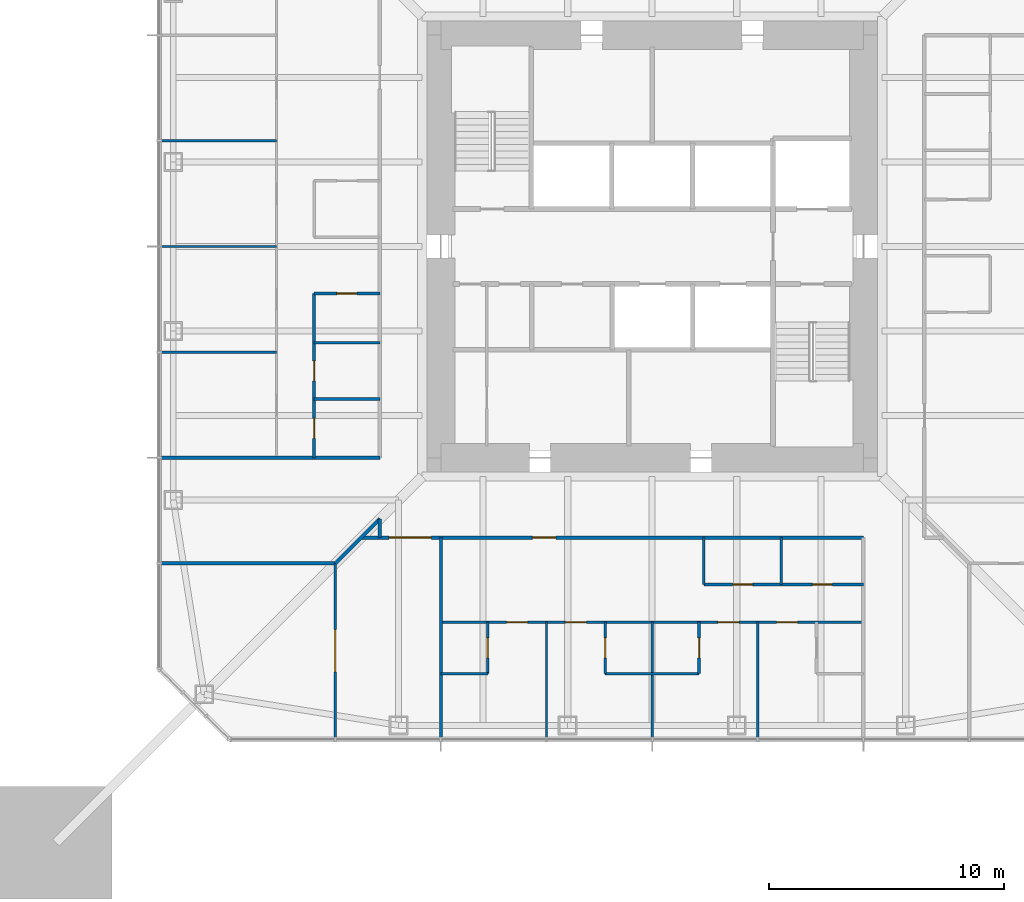
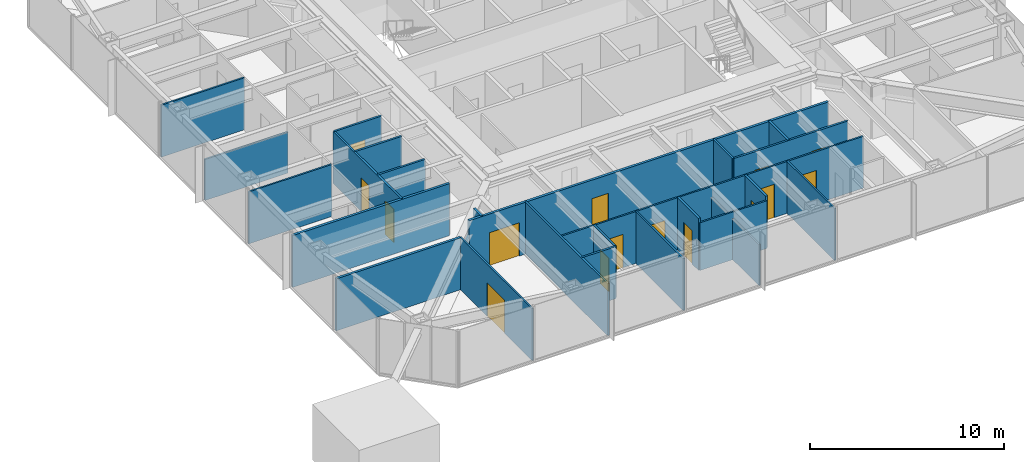
# One storey, part 13 of 25: 26 walls, 15 doors, 15 openings.
"""IFC4 building model written with IfcOpenShell, lengths in metres."""

import ifcopenshell
import ifcopenshell.guid

model = None  # the IFC model being written
_history = None  # IfcOwnerHistory: only IFC2X3 demands one
_inside = {}  # id of a spatial element -> (the spatial element, [elements in it])
_under = {}  # id of a project, library or spatial element -> (it, [spatial elements below it])
_declared = {}  # id of a project -> (the project, [libraries it declares])
_typed = {}  # id of a type object -> (the type object, [elements of that type])
_made_of = {}  # id of a material, layer set ... -> (it, [elements and type objects made of it])


def new_model(schema):
    """Start an empty IFC model of exactly this schema.

    Asked for "IFC4X3", IfcOpenShell would pick the latest addendum, in which some entities
    have other attributes; the version numbers below select the first issue.
    IFC2X3 requires an IfcOwnerHistory on every rooted entity: one is made here for all.
    """
    global model, _history
    if schema == "IFC4X3":
        model = ifcopenshell.file(schema_version=(4, 3, 0, 0))
    else:
        model = ifcopenshell.file(schema=schema)
    _inside.clear()
    _under.clear()
    _declared.clear()
    _typed.clear()
    _made_of.clear()
    _history = None
    if model.schema == "IFC2X3":
        org = make("IfcOrganization", Name="unknown")
        user = make(
            "IfcPersonAndOrganization",
            ThePerson=make("IfcPerson", FamilyName="unknown"),
            TheOrganization=org,
        )
        app = make(
            "IfcApplication",
            ApplicationDeveloper=org,
            Version="unknown",
            ApplicationFullName="unknown",
            ApplicationIdentifier="unknown",
        )
        _history = make(
            "IfcOwnerHistory",
            OwningUser=user,
            OwningApplication=app,
            ChangeAction="ADDED",
            CreationDate=0,
        )
    return model


def make(cls, **values):
    """One entity of the class cls with the attributes given. An attribute that is None is left unset."""
    return model.create_entity(
        cls, **{name: value for name, value in values.items() if value is not None}
    )


def rooted(cls, **values):
    """An entity with a GlobalId (a new one), such as an element, a storey or a relation."""
    return make(cls, GlobalId=ifcopenshell.guid.new(), OwnerHistory=_history, **values)


def si_unit(unit_type, name, prefix=None):
    """IfcSIUnit, for example si_unit("LENGTHUNIT", "METRE", prefix="MILLI")."""
    return make("IfcSIUnit", UnitType=unit_type, Prefix=prefix, Name=name)


def assignment(units):
    """IfcUnitAssignment: the units of a project."""
    return None if units is None else make("IfcUnitAssignment", Units=units)


def point(xyz):
    """IfcCartesianPoint."""
    return None if xyz is None else make("IfcCartesianPoint", Coordinates=xyz)


def direction(xyz):
    """IfcDirection."""
    return None if xyz is None else make("IfcDirection", DirectionRatios=xyz)


def frame(location, z_axis=None, x_axis=None):
    """IfcAxis2Placement3D, a coordinate frame: its origin and axes. An axis left out is left unset."""
    return make(
        "IfcAxis2Placement3D",
        Location=point(location),
        Axis=direction(z_axis),
        RefDirection=direction(x_axis),
    )


def frame_2d(location, x_axis=None):
    """IfcAxis2Placement2D, a coordinate frame in the plane: its origin and x axis."""
    return make(
        "IfcAxis2Placement2D", Location=point(location), RefDirection=direction(x_axis)
    )


def origin():
    """The frame at (0, 0, 0) with its axes left unset."""
    return frame((0.0, 0.0, 0.0))


def place(relative_to, where):
    """IfcLocalPlacement: puts the frame where relative to a parent placement (None: the world)."""
    return make(
        "IfcLocalPlacement", PlacementRelTo=relative_to, RelativePlacement=where
    )


def context(
    kind, dimensions, precision=None, world=None, true_north=None, identifier=None
):
    """IfcGeometricRepresentationContext, for example the 3D "Model" context."""
    return make(
        "IfcGeometricRepresentationContext",
        ContextIdentifier=identifier,
        ContextType=kind,
        CoordinateSpaceDimension=dimensions,
        Precision=precision,
        WorldCoordinateSystem=world,
        TrueNorth=true_north,
    )


def subcontext(parent, identifier, kind, view, scale=None):
    """IfcGeometricRepresentationSubContext, for example "Body" below "Model"."""
    return make(
        "IfcGeometricRepresentationSubContext",
        ContextIdentifier=identifier,
        ContextType=kind,
        ParentContext=parent,
        TargetScale=scale,
        TargetView=view,
    )


def project(units=None, contexts=None):
    """IfcProject with its units and contexts."""
    return rooted(
        "IfcProject",
        Name="project",
        RepresentationContexts=contexts,
        UnitsInContext=assignment(units),
    )


def spatial(cls, under=None, at=None, **own):
    """A site, building, storey or space (cls), placed at a placement, below another one or the project."""
    s = rooted(cls, ObjectPlacement=at, **own)
    if under is not None:
        _under.setdefault(under.id(), (under, []))[1].append(s)
    return s


def profile(cls, at=None, kind="AREA", **sizes):
    """A parametric profile (cls). Its sizes go by their IFC names, for example OverallWidth=200.0."""
    return make(cls, ProfileType=kind, Position=at, **sizes)


def rectangle(**sizes):
    """IfcRectangleProfileDef."""
    return profile("IfcRectangleProfileDef", **sizes)


def extrude(swept, where, along, depth):
    """IfcExtrudedAreaSolid: the profile swept, set in the frame where, extruded along a direction by depth."""
    return make(
        "IfcExtrudedAreaSolid",
        SweptArea=swept,
        Position=where,
        ExtrudedDirection=direction(along),
        Depth=depth,
    )


def shape(context_of_items, identifier, shape_type, items):
    """IfcShapeRepresentation: the items that make up one representation, for example the "Body"."""
    return make(
        "IfcShapeRepresentation",
        ContextOfItems=context_of_items,
        RepresentationIdentifier=identifier,
        RepresentationType=shape_type,
        Items=items,
    )


def material(Name=None, Category=None):
    """IfcMaterial."""
    return make("IfcMaterial", Name=Name, Category=Category)


def layer(
    of_material, thickness, ventilated=None, Name=None, Category=None, Priority=None
):
    """IfcMaterialLayer: one layer of a wall or slab, of a material (None: an air gap)."""
    return make(
        "IfcMaterialLayer",
        Material=of_material,
        LayerThickness=thickness,
        IsVentilated=ventilated,
        Name=Name,
        Category=Category,
        Priority=Priority,
    )


def layer_set(layers, Name=None):
    """IfcMaterialLayerSet."""
    return make("IfcMaterialLayerSet", MaterialLayers=layers, LayerSetName=Name)


def made_of(thing, what):
    """Note that an element or type object is made of a material, layer set ...; save() writes the relation."""
    if what is not None:
        _made_of.setdefault(what.id(), (what, []))[1].append(thing)
    return thing


def type_object(cls, material=None, **own):
    """A type object (cls), such as IfcWallType, which elements share."""
    return made_of(rooted(cls, **own), material)


def element(
    cls,
    number,
    at=None,
    inside=None,
    cuts=None,
    type_object=None,
    material=None,
    context=None,
    identifier="Body",
    shape_type=None,
    held_by="IfcProductDefinitionShape",
    body=None,
    shapes=None,
    **own,
):
    """One element of the class cls, such as IfcWall. Its Tag is "e" and its number.

    at: its placement. inside: the storey or other place that contains it. cuts: it is an
    opening in that element (IfcRelVoidsElement). A single representation is given by context,
    identifier, shape_type and body (its items); several are given by shapes. held_by: the class
    of the entity that holds the representations. save() writes the other relations.
    """
    e = rooted(cls, Tag="e%d" % number, ObjectPlacement=at, **own)
    if body is not None:
        shapes = [shape(context, identifier, shape_type, body)]
    if shapes is not None:
        e.Representation = make(held_by, Representations=shapes)
    if inside is not None:
        _inside.setdefault(inside.id(), (inside, []))[1].append(e)
    if cuts is not None:
        rooted(
            "IfcRelVoidsElement", RelatingBuildingElement=cuts, RelatedOpeningElement=e
        )
    if type_object is not None:
        _typed.setdefault(type_object.id(), (type_object, []))[1].append(e)
    return made_of(e, material)


def fill(opening, filler):
    """IfcRelFillsElement: the door or window that sits in an opening."""
    return rooted(
        "IfcRelFillsElement",
        RelatingOpeningElement=opening,
        RelatedBuildingElement=filler,
    )


def aggregate(whole, parts):
    """IfcRelAggregates: a whole, such as a stair, and the parts it consists of."""
    return rooted("IfcRelAggregates", RelatingObject=whole, RelatedObjects=parts)


def save(model, path):
    """Write the relations noted so far, then the file.

    IfcRelAggregates (storeys below a building ...), IfcRelContainedInSpatialStructure (elements
    in a storey), IfcRelDefinesByType, IfcRelAssociatesMaterial and IfcRelDeclares: one each for
    every whole, place, type object, material and project.
    """
    for whole, parts in _under.values():
        aggregate(whole, parts)
    for where, things in _inside.values():
        rooted(
            "IfcRelContainedInSpatialStructure",
            RelatedElements=things,
            RelatingStructure=where,
        )
    for kind, things in _typed.values():
        rooted("IfcRelDefinesByType", RelatedObjects=things, RelatingType=kind)
    for what, things in _made_of.values():
        rooted("IfcRelAssociatesMaterial", RelatedObjects=things, RelatingMaterial=what)
    for by, libraries in _declared.values():
        rooted("IfcRelDeclares", RelatingContext=by, RelatedDefinitions=libraries)
    model.write(path)


model = new_model("IFC4")

# Units and contexts
model_context = context("Model", 3, precision=1e-05, world=origin(), true_north=direction((0.0, 1.0)))
body_context = subcontext(model_context, "Body", "Model", "MODEL_VIEW")
ifc_project = project(units=[si_unit("LENGTHUNIT", "METRE"), si_unit("AREAUNIT", "SQUARE_METRE"), si_unit("VOLUMEUNIT", "CUBIC_METRE"), si_unit("PLANEANGLEUNIT", "RADIAN"), si_unit("MASSUNIT", "GRAM", prefix="KILO")], contexts=[model_context])

# Site, building, storey
site_placement = place(None, origin())
site = spatial("IfcSite", under=ifc_project, at=site_placement, CompositionType="ELEMENT")
building_placement = place(site_placement, origin())
building = spatial("IfcBuilding", under=site, at=building_placement, Name="Iwan Alto Co-Living Towers", CompositionType="ELEMENT")
storey_placement = place(building_placement, frame((0.0, 0.0, 84.0)))
storey = spatial("IfcBuildingStorey", under=building, at=storey_placement, Name="L22", CompositionType="ELEMENT", Elevation=84.0)

# Wall
ifc_material_1 = material(Name="Gypsum board")
ifc_layer_1 = layer(ifc_material_1, 0.02490234375, Name="Board", Category="Finish")
ifc_material_2 = material(Name="Steel ASTM A1003 ST33H cold-formed studs", Category="steel")
ifc_layer_2 = layer(ifc_material_2, 0.10009765625, Name="Studs", Category="Framing")
ifc_layer_3 = layer(ifc_material_1, 0.02490234375, Name="Board", Category="Finish")
ifc_layer_set_1 = layer_set([ifc_layer_1, ifc_layer_2, ifc_layer_3], Name="CORRIDOR WALL 150")
wall_type_1 = type_object("IfcWallType", Name="CORRIDOR WALL 150", PredefinedType="PARTITIONING", material=ifc_layer_set_1)
wall_1_placement = place(storey_placement, frame((-20.93994140625, -13.5, 0.0), z_axis=(0.0, 0.0, 1.0), x_axis=(1.0, 0.0, 0.0)))
element("IfcWall", 1, at=wall_1_placement, inside=storey, type_object=wall_type_1, Name="Partition L22", PredefinedType="PARTITIONING", context=body_context, shape_type="SweptSolid", body=[
    extrude(rectangle(XDim=7.43994140625, YDim=0.14990234375, at=frame_2d((3.719970703125, 0.0))), origin(), (0.0, 0.0, 1.0), 3.27001953125),
])

# Wall, openings, doors
wall_2_placement = place(storey_placement, frame((-12.39990234375, -12.39990234375, 0.0), z_axis=(0.0, 0.0, 1.0), x_axis=(1.0, 0.0, 0.0)))
wall_2 = element("IfcWall", 2, at=wall_2_placement, inside=storey, type_object=wall_type_1, Name="Partition L22", PredefinedType="PARTITIONING", context=body_context, shape_type="SweptSolid", body=[
    extrude(rectangle(XDim=21.39990234375, YDim=0.14990234375, at=frame_2d((10.699951171875, 0.0))), origin(), (0.0, 0.0, 1.0), 3.27001953125),
])
opening_1_placement = place(wall_2_placement, frame((1.199951171875, 0.0, 0.0)))
opening_1 = element("IfcOpeningElement", 3, at=opening_1_placement, cuts=wall_2, Name="Opening D9", PredefinedType="OPENING", context=body_context, shape_type="SweptSolid", body=[
    extrude(rectangle(XDim=1.800048828125, YDim=2.10009765625, at=frame_2d((0.89990234375, 1.050048828125))), frame((0.0, 0.0849609375, 0.0), z_axis=(0.0, -1.0, 0.0), x_axis=(1.0, 0.0, 0.0)), (0.0, 0.0, 1.0), 0.169921875),
])
opening_2_placement = place(wall_2_placement, frame((7.300048828125, 0.0, 0.0)))
opening_2 = element("IfcOpeningElement", 4, at=opening_2_placement, cuts=wall_2, Name="Opening D3", PredefinedType="OPENING", context=body_context, shape_type="SweptSolid", body=[
    extrude(rectangle(XDim=1.0, YDim=2.10009765625, at=frame_2d((0.5, 1.050048828125))), frame((0.0, 0.0849609375, 0.0), z_axis=(0.0, -1.0, 0.0), x_axis=(1.0, 0.0, 0.0)), (0.0, 0.0, 1.0), 0.169921875),
])
ifc_material_3 = material(Name="Steel frame with timber leaf", Category="steel")
door_type_1 = type_object("IfcDoorType", Name="FLAT ENTRANCE DOOR FD30S 1000X2100", OperationType="SINGLE_SWING_LEFT", PredefinedType="DOOR", material=ifc_material_3)
door_1_placement = place(opening_2_placement, frame((1.0, 0.0, 0.0), z_axis=(0.0, 0.0, 1.0), x_axis=(-1.0, 0.0, 0.0)))
door_1 = element("IfcDoor", 5, at=door_1_placement, inside=storey, type_object=door_type_1, Name="Cluster lounge and shared kitchen door L22", OperationType="SINGLE_SWING_RIGHT", OverallHeight=2.10009765625, OverallWidth=1.0, PredefinedType="DOOR", context=body_context, shape_type="SweptSolid", body=[
    extrude(rectangle(XDim=1.0, YDim=2.10009765625, at=frame_2d((0.5, 1.050048828125))), frame((0.0, 0.02490234375, 0.0), z_axis=(0.0, -1.0, 0.0), x_axis=(1.0, 0.0, 0.0)), (0.0, 0.0, 1.0), 0.050048828125),
])
fill(opening_2, door_1)
ifc_material_4 = material(Name="Steel frame with timber leaf", Category="steel")
door_type_2 = type_object("IfcDoorType", Name="LOUNGE DOOR FD30S 1800X2100", OperationType="DOUBLE_DOOR_SINGLE_SWING", PredefinedType="DOOR", material=ifc_material_4)
door_2_placement = place(opening_1_placement, frame((1.800048828125, 0.0, 0.0), z_axis=(0.0, 0.0, 1.0), x_axis=(-1.0, 0.0, 0.0)))
door_2 = element("IfcDoor", 6, at=door_2_placement, inside=storey, type_object=door_type_2, Name="Study commons door L22", OperationType="DOUBLE_DOOR_SINGLE_SWING", OverallHeight=2.10009765625, OverallWidth=1.800048828125, PredefinedType="DOOR", context=body_context, shape_type="SweptSolid", body=[
    extrude(rectangle(XDim=1.800048828125, YDim=2.10009765625, at=frame_2d((0.89990234375, 1.050048828125))), frame((0.0, 0.02490234375, 0.0), z_axis=(0.0, -1.0, 0.0), x_axis=(1.0, 0.0, 0.0)), (0.0, 0.0, 1.0), 0.050048828125),
])
fill(opening_1, door_2)

# Walls
wall_3_placement = place(storey_placement, frame((-20.93994140625, -9.0, 0.0), z_axis=(0.0, 0.0, 1.0), x_axis=(1.0, 0.0, 0.0)))
element("IfcWall", 7, at=wall_3_placement, inside=storey, type_object=wall_type_1, Name="Partition L22", PredefinedType="PARTITIONING", context=body_context, shape_type="SweptSolid", body=[
    extrude(rectangle(XDim=9.33984375, YDim=0.14990234375, at=frame_2d((4.669921875, 0.0))), origin(), (0.0, 0.0, 1.0), 3.27001953125),
])
wall_4_placement = place(storey_placement, frame((-13.5, -13.5, 0.0), z_axis=(0.0, 0.0, 1.0), x_axis=(0.707106781187, 0.707106781187, 0.0)))
element("IfcWall", 8, at=wall_4_placement, inside=storey, type_object=wall_type_1, Name="Partition L22", PredefinedType="PARTITIONING", context=body_context, shape_type="SweptSolid", body=[
    extrude(rectangle(XDim=2.686767578125, YDim=0.14990234375, at=frame_2d((1.34326171875, 0.0))), origin(), (0.0, 0.0, 1.0), 2.343017578125),
])
wall_5_placement = place(storey_placement, frame((-11.60009765625, -12.39990234375, 0.0), z_axis=(0.0, 0.0, 1.0), x_axis=(0.0, 1.0, 0.0)))
element("IfcWall", 9, at=wall_5_placement, inside=storey, type_object=wall_type_1, Name="Partition L22", PredefinedType="PARTITIONING", context=body_context, shape_type="SweptSolid", body=[
    extrude(rectangle(XDim=0.7998046875, YDim=0.14990234375, at=frame_2d((0.39990234375, 0.0))), origin(), (0.0, 0.0, 1.0), 3.27001953125),
])
ifc_layer_4 = layer(ifc_material_1, 0.012451171875, Name="Board", Category="Finish")
ifc_layer_5 = layer(ifc_material_2, 0.074951171875, Name="Studs", Category="Framing")
ifc_layer_6 = layer(ifc_material_1, 0.012451171875, Name="Board", Category="Finish")
ifc_layer_set_2 = layer_set([ifc_layer_4, ifc_layer_5, ifc_layer_6], Name="PARTITION 100")
wall_type_2 = type_object("IfcWallType", Name="PARTITION 100", PredefinedType="PARTITIONING", material=ifc_layer_set_2)
wall_6_placement = place(storey_placement, frame((-2.0, -18.199951171875, 0.0), z_axis=(0.0, 0.0, 1.0), x_axis=(1.0, 0.0, 0.0)))
element("IfcWall", 10, at=wall_6_placement, inside=storey, type_object=wall_type_2, Name="Partition L22", PredefinedType="PARTITIONING", context=body_context, shape_type="SweptSolid", body=[
    extrude(rectangle(XDim=4.0, YDim=0.10009765625, at=frame_2d((2.0, 0.0))), origin(), (0.0, 0.0, 1.0), 3.0),
])

# Wall, openings, doors
wall_7_placement = place(storey_placement, frame((-9.0, -16.0, 0.0), z_axis=(0.0, 0.0, 1.0), x_axis=(1.0, 0.0, 0.0)))
wall_7 = element("IfcWall", 11, at=wall_7_placement, inside=storey, type_object=wall_type_2, Name="Partition L22", PredefinedType="PARTITIONING", context=body_context, shape_type="SweptSolid", body=[
    extrude(rectangle(XDim=18.0, YDim=0.10009765625, at=frame_2d((9.0, 0.0))), origin(), (0.0, 0.0, 1.0), 3.27001953125),
])
opening_3_placement = place(wall_7_placement, frame((2.800048828125, 0.0, 0.0)))
opening_3 = element("IfcOpeningElement", 12, at=opening_3_placement, cuts=wall_7, Name="Opening D1", PredefinedType="OPENING", context=body_context, shape_type="SweptSolid", body=[
    extrude(rectangle(XDim=0.89990234375, YDim=2.10009765625, at=frame_2d((0.449951171875, 1.050048828125))), frame((0.0, 0.06005859375, 0.0), z_axis=(0.0, -1.0, 0.0), x_axis=(1.0, 0.0, 0.0)), (0.0, 0.0, 1.0), 0.1201171875),
])
opening_4_placement = place(wall_7_placement, frame((5.300048828125, 0.0, 0.0)))
opening_4 = element("IfcOpeningElement", 13, at=opening_4_placement, cuts=wall_7, Name="Opening D1", PredefinedType="OPENING", context=body_context, shape_type="SweptSolid", body=[
    extrude(rectangle(XDim=0.89990234375, YDim=2.10009765625, at=frame_2d((0.449951171875, 1.050048828125))), frame((0.0, 0.06005859375, 0.0), z_axis=(0.0, -1.0, 0.0), x_axis=(1.0, 0.0, 0.0)), (0.0, 0.0, 1.0), 0.1201171875),
])
opening_5_placement = place(wall_7_placement, frame((11.800048828125, 0.0, 0.0)))
opening_5 = element("IfcOpeningElement", 14, at=opening_5_placement, cuts=wall_7, Name="Opening D1", PredefinedType="OPENING", context=body_context, shape_type="SweptSolid", body=[
    extrude(rectangle(XDim=0.89990234375, YDim=2.10009765625, at=frame_2d((0.449951171875, 1.050048828125))), frame((0.0, 0.06005859375, 0.0), z_axis=(0.0, -1.0, 0.0), x_axis=(1.0, 0.0, 0.0)), (0.0, 0.0, 1.0), 0.1201171875),
])
opening_6_placement = place(wall_7_placement, frame((14.300048828125, 0.0, 0.0)))
opening_6 = element("IfcOpeningElement", 15, at=opening_6_placement, cuts=wall_7, Name="Opening D1", PredefinedType="OPENING", context=body_context, shape_type="SweptSolid", body=[
    extrude(rectangle(XDim=0.89990234375, YDim=2.10009765625, at=frame_2d((0.449951171875, 1.050048828125))), frame((0.0, 0.06005859375, 0.0), z_axis=(0.0, -1.0, 0.0), x_axis=(1.0, 0.0, 0.0)), (0.0, 0.0, 1.0), 0.1201171875),
])
ifc_material_5 = material(Name="Timber leaf in steel frame", Category="steel")
door_type_3 = type_object("IfcDoorType", Name="BEDROOM DOOR 900X2100", OperationType="SINGLE_SWING_LEFT", PredefinedType="DOOR", material=ifc_material_5)
door_3_placement = place(opening_3_placement, origin())
door_3 = element("IfcDoor", 16, at=door_3_placement, inside=storey, type_object=door_type_3, Name="Study bedroom door L22", OperationType="SINGLE_SWING_LEFT", OverallHeight=2.10009765625, OverallWidth=0.89990234375, PredefinedType="DOOR", context=body_context, shape_type="SweptSolid", body=[
    extrude(rectangle(XDim=0.89990234375, YDim=2.10009765625, at=frame_2d((0.449951171875, 1.050048828125))), frame((0.0, 0.02490234375, 0.0), z_axis=(0.0, -1.0, 0.0), x_axis=(1.0, 0.0, 0.0)), (0.0, 0.0, 1.0), 0.050048828125),
])
fill(opening_3, door_3)
door_4_placement = place(opening_4_placement, origin())
door_4 = element("IfcDoor", 17, at=door_4_placement, inside=storey, type_object=door_type_3, Name="Study bedroom door L22", OperationType="SINGLE_SWING_LEFT", OverallHeight=2.10009765625, OverallWidth=0.89990234375, PredefinedType="DOOR", context=body_context, shape_type="SweptSolid", body=[
    extrude(rectangle(XDim=0.89990234375, YDim=2.10009765625, at=frame_2d((0.449951171875, 1.050048828125))), frame((0.0, 0.02490234375, 0.0), z_axis=(0.0, -1.0, 0.0), x_axis=(1.0, 0.0, 0.0)), (0.0, 0.0, 1.0), 0.050048828125),
])
fill(opening_4, door_4)
door_5_placement = place(opening_5_placement, origin())
door_5 = element("IfcDoor", 18, at=door_5_placement, inside=storey, type_object=door_type_3, Name="Study bedroom door L22", OperationType="SINGLE_SWING_RIGHT", OverallHeight=2.10009765625, OverallWidth=0.89990234375, PredefinedType="DOOR", context=body_context, shape_type="SweptSolid", body=[
    extrude(rectangle(XDim=0.89990234375, YDim=2.10009765625, at=frame_2d((0.449951171875, 1.050048828125))), frame((0.0, 0.02490234375, 0.0), z_axis=(0.0, -1.0, 0.0), x_axis=(1.0, 0.0, 0.0)), (0.0, 0.0, 1.0), 0.050048828125),
])
fill(opening_5, door_5)
door_6_placement = place(opening_6_placement, origin())
door_6 = element("IfcDoor", 19, at=door_6_placement, inside=storey, type_object=door_type_3, Name="Study bedroom door L22", OperationType="SINGLE_SWING_RIGHT", OverallHeight=2.10009765625, OverallWidth=0.89990234375, PredefinedType="DOOR", context=body_context, shape_type="SweptSolid", body=[
    extrude(rectangle(XDim=0.89990234375, YDim=2.10009765625, at=frame_2d((0.449951171875, 1.050048828125))), frame((0.0, 0.02490234375, 0.0), z_axis=(0.0, -1.0, 0.0), x_axis=(1.0, 0.0, 0.0)), (0.0, 0.0, 1.0), 0.050048828125),
])
fill(opening_6, door_6)

# Walls
wall_8_placement = place(storey_placement, frame((-20.93994140625, -4.5, 0.0), z_axis=(0.0, 0.0, 1.0), x_axis=(1.0, 0.0, 0.0)))
element("IfcWall", 20, at=wall_8_placement, inside=storey, type_object=wall_type_2, Name="Partition L22", PredefinedType="PARTITIONING", context=body_context, shape_type="SweptSolid", body=[
    extrude(rectangle(XDim=4.93994140625, YDim=0.10009765625, at=frame_2d((2.469970703125, 0.0))), origin(), (0.0, 0.0, 1.0), 3.27001953125),
])
wall_9_placement = place(storey_placement, frame((-20.93994140625, 0.0, 0.0), z_axis=(0.0, 0.0, 1.0), x_axis=(1.0, 0.0, 0.0)))
element("IfcWall", 21, at=wall_9_placement, inside=storey, type_object=wall_type_2, Name="Partition L22", PredefinedType="PARTITIONING", context=body_context, shape_type="SweptSolid", body=[
    extrude(rectangle(XDim=4.93994140625, YDim=0.10009765625, at=frame_2d((2.469970703125, 0.0))), origin(), (0.0, 0.0, 1.0), 2.586669921875),
])
for number, where, z_axis, x_axis, name in (
    (22, (-20.93994140625, 4.5, 0.0), (0.0, 0.0, 1.0), (1.0, 0.0, 0.0), "Partition L22"),
    (23, (4.5, -20.93994140625, 0.0), (0.0, 0.0, 1.0), (0.0, 1.0, 0.0), "Partition L22"),
):
    element("IfcWall", number, at=place(storey_placement, frame(where, z_axis=z_axis, x_axis=x_axis)), inside=storey, type_object=wall_type_2, Name=name, PredefinedType="PARTITIONING", context=body_context, shape_type="SweptSolid", body=[
        extrude(rectangle(XDim=4.93994140625, YDim=0.10009765625, at=frame_2d((2.469970703125, 0.0))), origin(), (0.0, 0.0, 1.0), 3.27001953125),
    ])
wall_10_placement = place(storey_placement, frame((0.0, -20.93994140625, 0.0), z_axis=(0.0, 0.0, 1.0), x_axis=(0.0, 1.0, 0.0)))
element("IfcWall", 24, at=wall_10_placement, inside=storey, type_object=wall_type_2, Name="Partition L22", PredefinedType="PARTITIONING", context=body_context, shape_type="SweptSolid", body=[
    extrude(rectangle(XDim=4.93994140625, YDim=0.10009765625, at=frame_2d((2.469970703125, 0.0))), origin(), (0.0, 0.0, 1.0), 2.586669921875),
])
wall_11_placement = place(storey_placement, frame((-4.5, -20.93994140625, 0.0), z_axis=(0.0, 0.0, 1.0), x_axis=(0.0, 1.0, 0.0)))
element("IfcWall", 25, at=wall_11_placement, inside=storey, type_object=wall_type_2, Name="Partition L22", PredefinedType="PARTITIONING", context=body_context, shape_type="SweptSolid", body=[
    extrude(rectangle(XDim=4.93994140625, YDim=0.10009765625, at=frame_2d((2.469970703125, 0.0))), origin(), (0.0, 0.0, 1.0), 3.27001953125),
])

# Wall, opening, door
wall_12_placement = place(storey_placement, frame((-13.5, -20.93994140625, 0.0), z_axis=(0.0, 0.0, 1.0), x_axis=(0.0, 1.0, 0.0)))
wall_12 = element("IfcWall", 26, at=wall_12_placement, inside=storey, type_object=wall_type_2, Name="Partition L22", PredefinedType="PARTITIONING", context=body_context, shape_type="SweptSolid", body=[
    extrude(rectangle(XDim=7.43994140625, YDim=0.10009765625, at=frame_2d((3.719970703125, 0.0))), origin(), (0.0, 0.0, 1.0), 3.27001953125),
])
opening_7_placement = place(wall_12_placement, frame((2.820068359375, 0.0, 0.0)))
opening_7 = element("IfcOpeningElement", 27, at=opening_7_placement, cuts=wall_12, Name="Opening D14", PredefinedType="OPENING", context=body_context, shape_type="SweptSolid", body=[
    extrude(rectangle(XDim=1.800048828125, YDim=2.10009765625, at=frame_2d((0.89990234375, 1.050048828125))), frame((0.0, 0.06005859375, 0.0), z_axis=(0.0, -1.0, 0.0), x_axis=(1.0, 0.0, 0.0)), (0.0, 0.0, 1.0), 0.1201171875),
])
ifc_material_6 = material(Name="Timber leaf in steel frame", Category="steel")
door_type_4 = type_object("IfcDoorType", Name="LOUNGE DOOR 1800X2100", OperationType="DOUBLE_DOOR_SINGLE_SWING", PredefinedType="DOOR", material=ifc_material_6)
door_7_placement = place(opening_7_placement, origin())
door_7 = element("IfcDoor", 28, at=door_7_placement, inside=storey, type_object=door_type_4, Name="Courtyard lounge door L22", OperationType="DOUBLE_DOOR_SINGLE_SWING", OverallHeight=2.10009765625, OverallWidth=1.800048828125, PredefinedType="DOOR", context=body_context, shape_type="SweptSolid", body=[
    extrude(rectangle(XDim=1.800048828125, YDim=2.10009765625, at=frame_2d((0.89990234375, 1.050048828125))), frame((0.0, 0.02490234375, 0.0), z_axis=(0.0, -1.0, 0.0), x_axis=(1.0, 0.0, 0.0)), (0.0, 0.0, 1.0), 0.050048828125),
])
fill(opening_7, door_7)

# Wall
ifc_material_7 = material(Name="Cement board")
ifc_layer_7 = layer(ifc_material_7, 0.012451171875, Name="Board", Category="Finish")
ifc_layer_8 = layer(ifc_material_2, 0.094970703125, Name="Studs", Category="Framing")
ifc_layer_9 = layer(ifc_material_7, 0.012451171875, Name="Board", Category="Finish")
ifc_layer_set_3 = layer_set([ifc_layer_7, ifc_layer_8, ifc_layer_9], Name="WET AREA PARTITION 120")
wall_type_3 = type_object("IfcWallType", Name="WET AREA PARTITION 120", PredefinedType="PARTITIONING", material=ifc_layer_set_3)
wall_13_placement = place(storey_placement, frame((-9.0, -18.199951171875, 0.0), z_axis=(0.0, 0.0, 1.0), x_axis=(1.0, 0.0, 0.0)))
element("IfcWall", 29, at=wall_13_placement, inside=storey, type_object=wall_type_3, Name="Partition L22", PredefinedType="PARTITIONING", context=body_context, shape_type="SweptSolid", body=[
    extrude(rectangle(XDim=2.0, YDim=0.1201171875, at=frame_2d((1.0, 0.0))), origin(), (0.0, 0.0, 1.0), 3.27001953125),
])

# Wall, openings, doors
wall_14_placement = place(storey_placement, frame((2.199951171875, -14.39990234375, 0.0), z_axis=(0.0, 0.0, 1.0), x_axis=(1.0, 0.0, 0.0)))
wall_14 = element("IfcWall", 30, at=wall_14_placement, inside=storey, type_object=wall_type_3, Name="Partition L22", PredefinedType="PARTITIONING", context=body_context, shape_type="SweptSolid", body=[
    extrude(rectangle(XDim=6.800048828125, YDim=0.1201171875, at=frame_2d((3.39990234375, 0.0))), origin(), (0.0, 0.0, 1.0), 3.27001953125),
])
opening_8_placement = place(wall_14_placement, frame((1.22509765625, 0.0, 0.0)))
opening_8 = element("IfcOpeningElement", 31, at=opening_8_placement, cuts=wall_14, Name="Opening D2", PredefinedType="OPENING", context=body_context, shape_type="SweptSolid", body=[
    extrude(rectangle(XDim=0.85009765625, YDim=2.10009765625, at=frame_2d((0.425048828125, 1.050048828125))), frame((0.0, 0.070068359375, 0.0), z_axis=(0.0, -1.0, 0.0), x_axis=(1.0, 0.0, 0.0)), (0.0, 0.0, 1.0), 0.14013671875),
])
opening_9_placement = place(wall_14_placement, frame((4.625, 0.0, 0.0)))
opening_9 = element("IfcOpeningElement", 32, at=opening_9_placement, cuts=wall_14, Name="Opening D2", PredefinedType="OPENING", context=body_context, shape_type="SweptSolid", body=[
    extrude(rectangle(XDim=0.85009765625, YDim=2.10009765625, at=frame_2d((0.425048828125, 1.050048828125))), frame((0.0, 0.070068359375, 0.0), z_axis=(0.0, -1.0, 0.0), x_axis=(1.0, 0.0, 0.0)), (0.0, 0.0, 1.0), 0.14013671875),
])
ifc_material_8 = material(Name="Timber leaf in steel frame", Category="steel")
door_type_5 = type_object("IfcDoorType", Name="ROOM DOOR 850X2100", OperationType="SINGLE_SWING_LEFT", PredefinedType="DOOR", material=ifc_material_8)
door_8_placement = place(opening_8_placement, frame((0.85009765625, 0.0, 0.0), z_axis=(0.0, 0.0, 1.0), x_axis=(-1.0, 0.0, 0.0)))
door_8 = element("IfcDoor", 33, at=door_8_placement, inside=storey, type_object=door_type_5, Name="Accessible bathroom door L22", OperationType="SINGLE_SWING_LEFT", OverallHeight=2.10009765625, OverallWidth=0.85009765625, PredefinedType="DOOR", context=body_context, shape_type="SweptSolid", body=[
    extrude(rectangle(XDim=0.85009765625, YDim=2.10009765625, at=frame_2d((0.425048828125, 1.050048828125))), frame((0.0, 0.02490234375, 0.0), z_axis=(0.0, -1.0, 0.0), x_axis=(1.0, 0.0, 0.0)), (0.0, 0.0, 1.0), 0.050048828125),
])
fill(opening_8, door_8)
door_9_placement = place(opening_9_placement, frame((0.85009765625, 0.0, 0.0), z_axis=(0.0, 0.0, 1.0), x_axis=(-1.0, 0.0, 0.0)))
door_9 = element("IfcDoor", 34, at=door_9_placement, inside=storey, type_object=door_type_5, Name="Laundry door L22", OperationType="SINGLE_SWING_LEFT", OverallHeight=2.10009765625, OverallWidth=0.85009765625, PredefinedType="DOOR", context=body_context, shape_type="SweptSolid", body=[
    extrude(rectangle(XDim=0.85009765625, YDim=2.10009765625, at=frame_2d((0.425048828125, 1.050048828125))), frame((0.0, 0.02490234375, 0.0), z_axis=(0.0, -1.0, 0.0), x_axis=(1.0, 0.0, 0.0)), (0.0, 0.0, 1.0), 0.050048828125),
])
fill(opening_9, door_9)

# Walls
for number, where, z_axis, x_axis, name in (
    (35, (-14.39990234375, -6.5, 0.0), (0.0, 0.0, 1.0), (1.0, 0.0, 0.0), "Partition L22"),
    (36, (-14.39990234375, -4.10009765625, 0.0), (0.0, 0.0, 1.0), (1.0, 0.0, 0.0), "Partition L22"),
):
    element("IfcWall", number, at=place(storey_placement, frame(where, z_axis=z_axis, x_axis=x_axis)), inside=storey, type_object=wall_type_3, Name=name, PredefinedType="PARTITIONING", context=body_context, shape_type="SweptSolid", body=[
        extrude(rectangle(XDim=2.7998046875, YDim=0.1201171875, at=frame_2d((1.39990234375, 0.0))), origin(), (0.0, 0.0, 1.0), 3.27001953125),
    ])

# Wall, opening, door
wall_15_placement = place(storey_placement, frame((-14.39990234375, -2.0, 0.0), z_axis=(0.0, 0.0, 1.0), x_axis=(1.0, 0.0, 0.0)))
wall_15 = element("IfcWall", 37, at=wall_15_placement, inside=storey, type_object=wall_type_3, Name="Partition L22", PredefinedType="PARTITIONING", context=body_context, shape_type="SweptSolid", body=[
    extrude(rectangle(XDim=2.7998046875, YDim=0.1201171875, at=frame_2d((1.39990234375, 0.0))), origin(), (0.0, 0.0, 1.0), 3.27001953125),
])
opening_10_placement = place(wall_15_placement, frame((0.97509765625, 0.0, 0.0)))
opening_10 = element("IfcOpeningElement", 38, at=opening_10_placement, cuts=wall_15, Name="Opening D2", PredefinedType="OPENING", context=body_context, shape_type="SweptSolid", body=[
    extrude(rectangle(XDim=0.85009765625, YDim=2.10009765625, at=frame_2d((0.425048828125, 1.050048828125))), frame((0.0, 0.070068359375, 0.0), z_axis=(0.0, -1.0, 0.0), x_axis=(1.0, 0.0, 0.0)), (0.0, 0.0, 1.0), 0.14013671875),
])
door_10_placement = place(opening_10_placement, origin())
door_10 = element("IfcDoor", 39, at=door_10_placement, inside=storey, type_object=door_type_5, Name="Bathroom door L22", OperationType="SINGLE_SWING_RIGHT", OverallHeight=2.10009765625, OverallWidth=0.85009765625, PredefinedType="DOOR", context=body_context, shape_type="SweptSolid", body=[
    extrude(rectangle(XDim=0.85009765625, YDim=2.10009765625, at=frame_2d((0.425048828125, 1.050048828125))), frame((0.0, 0.02490234375, 0.0), z_axis=(0.0, -1.0, 0.0), x_axis=(1.0, 0.0, 0.0)), (0.0, 0.0, 1.0), 0.050048828125),
])
fill(opening_10, door_10)

# Walls
for number, where, z_axis, x_axis, name in (
    (40, (5.5, -14.39990234375, 0.0), (0.0, 0.0, 1.0), (0.0, 1.0, 0.0), "Partition L22"),
    (41, (2.199951171875, -14.39990234375, 0.0), (0.0, 0.0, 1.0), (0.0, 1.0, 0.0), "Partition L22"),
):
    element("IfcWall", number, at=place(storey_placement, frame(where, z_axis=z_axis, x_axis=x_axis)), inside=storey, type_object=wall_type_3, Name=name, PredefinedType="PARTITIONING", context=body_context, shape_type="SweptSolid", body=[
        extrude(rectangle(XDim=2.0, YDim=0.1201171875, at=frame_2d((1.0, 0.0))), origin(), (0.0, 0.0, 1.0), 3.27001953125),
    ])

# Wall, opening, door
wall_16_placement = place(storey_placement, frame((2.0, -18.199951171875, 0.0), z_axis=(0.0, 0.0, 1.0), x_axis=(0.0, 1.0, 0.0)))
wall_16 = element("IfcWall", 42, at=wall_16_placement, inside=storey, type_object=wall_type_3, Name="Partition L22", PredefinedType="PARTITIONING", context=body_context, shape_type="SweptSolid", body=[
    extrude(rectangle(XDim=2.199951171875, YDim=0.1201171875, at=frame_2d((1.10009765625, 0.0))), origin(), (0.0, 0.0, 1.0), 3.27001953125),
])
opening_11_placement = place(wall_16_placement, frame((0.675048828125, 0.0, 0.0)))
opening_11 = element("IfcOpeningElement", 43, at=opening_11_placement, cuts=wall_16, Name="Opening D2", PredefinedType="OPENING", context=body_context, shape_type="SweptSolid", body=[
    extrude(rectangle(XDim=0.85009765625, YDim=2.10009765625, at=frame_2d((0.425048828125, 1.050048828125))), frame((0.0, 0.070068359375, 0.0), z_axis=(0.0, -1.0, 0.0), x_axis=(1.0, 0.0, 0.0)), (0.0, 0.0, 1.0), 0.14013671875),
])
door_11_placement = place(opening_11_placement, frame((0.85009765625, 0.0, 0.0), z_axis=(0.0, 0.0, 1.0), x_axis=(-1.0, 0.0, 0.0)))
door_11 = element("IfcDoor", 44, at=door_11_placement, inside=storey, type_object=door_type_5, Name="En-suite shower room door L22", OperationType="SINGLE_SWING_LEFT", OverallHeight=2.10009765625, OverallWidth=0.85009765625, PredefinedType="DOOR", context=body_context, shape_type="SweptSolid", body=[
    extrude(rectangle(XDim=0.85009765625, YDim=2.10009765625, at=frame_2d((0.425048828125, 1.050048828125))), frame((0.0, 0.02490234375, 0.0), z_axis=(0.0, -1.0, 0.0), x_axis=(1.0, 0.0, 0.0)), (0.0, 0.0, 1.0), 0.050048828125),
])
fill(opening_11, door_11)

wall_17_placement = place(storey_placement, frame((-2.0, -18.199951171875, 0.0), z_axis=(0.0, 0.0, 1.0), x_axis=(0.0, 1.0, 0.0)))
wall_17 = element("IfcWall", 45, at=wall_17_placement, inside=storey, type_object=wall_type_3, Name="Partition L22", PredefinedType="PARTITIONING", context=body_context, shape_type="SweptSolid", body=[
    extrude(rectangle(XDim=2.199951171875, YDim=0.1201171875, at=frame_2d((1.10009765625, 0.0))), origin(), (0.0, 0.0, 1.0), 3.27001953125),
])
opening_12_placement = place(wall_17_placement, frame((0.675048828125, 0.0, 0.0)))
opening_12 = element("IfcOpeningElement", 46, at=opening_12_placement, cuts=wall_17, Name="Opening D2", PredefinedType="OPENING", context=body_context, shape_type="SweptSolid", body=[
    extrude(rectangle(XDim=0.85009765625, YDim=2.10009765625, at=frame_2d((0.425048828125, 1.050048828125))), frame((0.0, 0.070068359375, 0.0), z_axis=(0.0, -1.0, 0.0), x_axis=(1.0, 0.0, 0.0)), (0.0, 0.0, 1.0), 0.14013671875),
])
door_12_placement = place(opening_12_placement, origin())
door_12 = element("IfcDoor", 47, at=door_12_placement, inside=storey, type_object=door_type_5, Name="En-suite shower room door L22", OperationType="SINGLE_SWING_RIGHT", OverallHeight=2.10009765625, OverallWidth=0.85009765625, PredefinedType="DOOR", context=body_context, shape_type="SweptSolid", body=[
    extrude(rectangle(XDim=0.85009765625, YDim=2.10009765625, at=frame_2d((0.425048828125, 1.050048828125))), frame((0.0, 0.02490234375, 0.0), z_axis=(0.0, -1.0, 0.0), x_axis=(1.0, 0.0, 0.0)), (0.0, 0.0, 1.0), 0.050048828125),
])
fill(opening_12, door_12)

wall_18_placement = place(storey_placement, frame((-7.0, -18.199951171875, 0.0), z_axis=(0.0, 0.0, 1.0), x_axis=(0.0, 1.0, 0.0)))
wall_18 = element("IfcWall", 48, at=wall_18_placement, inside=storey, type_object=wall_type_3, Name="Partition L22", PredefinedType="PARTITIONING", context=body_context, shape_type="SweptSolid", body=[
    extrude(rectangle(XDim=2.199951171875, YDim=0.1201171875, at=frame_2d((1.10009765625, 0.0))), origin(), (0.0, 0.0, 1.0), 3.27001953125),
])
opening_13_placement = place(wall_18_placement, frame((0.675048828125, 0.0, 0.0)))
opening_13 = element("IfcOpeningElement", 49, at=opening_13_placement, cuts=wall_18, Name="Opening D2", PredefinedType="OPENING", context=body_context, shape_type="SweptSolid", body=[
    extrude(rectangle(XDim=0.85009765625, YDim=2.10009765625, at=frame_2d((0.425048828125, 1.050048828125))), frame((0.0, 0.070068359375, 0.0), z_axis=(0.0, -1.0, 0.0), x_axis=(1.0, 0.0, 0.0)), (0.0, 0.0, 1.0), 0.14013671875),
])
door_13_placement = place(opening_13_placement, frame((0.85009765625, 0.0, 0.0), z_axis=(0.0, 0.0, 1.0), x_axis=(-1.0, 0.0, 0.0)))
door_13 = element("IfcDoor", 50, at=door_13_placement, inside=storey, type_object=door_type_5, Name="En-suite shower room door L22", OperationType="SINGLE_SWING_LEFT", OverallHeight=2.10009765625, OverallWidth=0.85009765625, PredefinedType="DOOR", context=body_context, shape_type="SweptSolid", body=[
    extrude(rectangle(XDim=0.85009765625, YDim=2.10009765625, at=frame_2d((0.425048828125, 1.050048828125))), frame((0.0, 0.02490234375, 0.0), z_axis=(0.0, -1.0, 0.0), x_axis=(1.0, 0.0, 0.0)), (0.0, 0.0, 1.0), 0.050048828125),
])
fill(opening_13, door_13)

# Wall
wall_19_placement = place(storey_placement, frame((-9.0, -20.93994140625, 0.0), z_axis=(0.0, 0.0, 1.0), x_axis=(0.0, 1.0, 0.0)))
element("IfcWall", 51, at=wall_19_placement, inside=storey, type_object=wall_type_3, Name="Partition L22", PredefinedType="PARTITIONING", context=body_context, shape_type="SweptSolid", body=[
    extrude(rectangle(XDim=8.5400390625, YDim=0.1201171875, at=frame_2d((4.27001953125, 0.0))), origin(), (0.0, 0.0, 1.0), 3.27001953125),
])

# Wall, openings, doors
wall_20_placement = place(storey_placement, frame((-14.39990234375, -9.0, 0.0), z_axis=(0.0, 0.0, 1.0), x_axis=(0.0, 1.0, 0.0)))
wall_20 = element("IfcWall", 52, at=wall_20_placement, inside=storey, type_object=wall_type_3, Name="Partition L22", PredefinedType="PARTITIONING", context=body_context, shape_type="SweptSolid", body=[
    extrude(rectangle(XDim=7.0, YDim=0.1201171875, at=frame_2d((3.5, 0.0))), origin(), (0.0, 0.0, 1.0), 3.27001953125),
])
opening_14_placement = place(wall_20_placement, frame((3.27490234375, 0.0, 0.0)))
opening_14 = element("IfcOpeningElement", 53, at=opening_14_placement, cuts=wall_20, Name="Opening D2", PredefinedType="OPENING", context=body_context, shape_type="SweptSolid", body=[
    extrude(rectangle(XDim=0.85009765625, YDim=2.10009765625, at=frame_2d((0.425048828125, 1.050048828125))), frame((0.0, 0.070068359375, 0.0), z_axis=(0.0, -1.0, 0.0), x_axis=(1.0, 0.0, 0.0)), (0.0, 0.0, 1.0), 0.14013671875),
])
opening_15_placement = place(wall_20_placement, frame((0.824951171875, 0.0, 0.0)))
opening_15 = element("IfcOpeningElement", 54, at=opening_15_placement, cuts=wall_20, Name="Opening D2", PredefinedType="OPENING", context=body_context, shape_type="SweptSolid", body=[
    extrude(rectangle(XDim=0.85009765625, YDim=2.10009765625, at=frame_2d((0.425048828125, 1.050048828125))), frame((0.0, 0.070068359375, 0.0), z_axis=(0.0, -1.0, 0.0), x_axis=(1.0, 0.0, 0.0)), (0.0, 0.0, 1.0), 0.14013671875),
])
door_14_placement = place(opening_14_placement, origin())
door_14 = element("IfcDoor", 55, at=door_14_placement, inside=storey, type_object=door_type_5, Name="Accessible bathroom door L22", OperationType="SINGLE_SWING_LEFT", OverallHeight=2.10009765625, OverallWidth=0.85009765625, PredefinedType="DOOR", context=body_context, shape_type="SweptSolid", body=[
    extrude(rectangle(XDim=0.85009765625, YDim=2.10009765625, at=frame_2d((0.425048828125, 1.050048828125))), frame((0.0, 0.02490234375, 0.0), z_axis=(0.0, -1.0, 0.0), x_axis=(1.0, 0.0, 0.0)), (0.0, 0.0, 1.0), 0.050048828125),
])
fill(opening_14, door_14)
door_15_placement = place(opening_15_placement, origin())
door_15 = element("IfcDoor", 56, at=door_15_placement, inside=storey, type_object=door_type_5, Name="Laundry door L22", OperationType="SINGLE_SWING_LEFT", OverallHeight=2.10009765625, OverallWidth=0.85009765625, PredefinedType="DOOR", context=body_context, shape_type="SweptSolid", body=[
    extrude(rectangle(XDim=0.85009765625, YDim=2.10009765625, at=frame_2d((0.425048828125, 1.050048828125))), frame((0.0, 0.02490234375, 0.0), z_axis=(0.0, -1.0, 0.0), x_axis=(1.0, 0.0, 0.0)), (0.0, 0.0, 1.0), 0.050048828125),
])
fill(opening_15, door_15)

save(model, "model.ifc")
